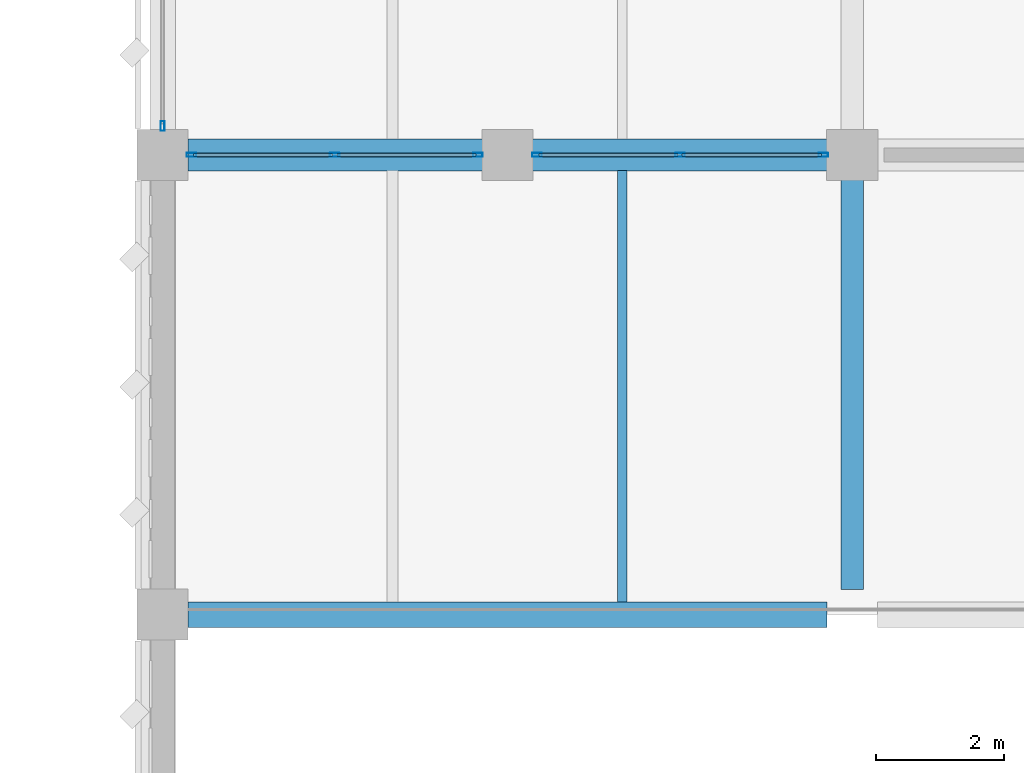
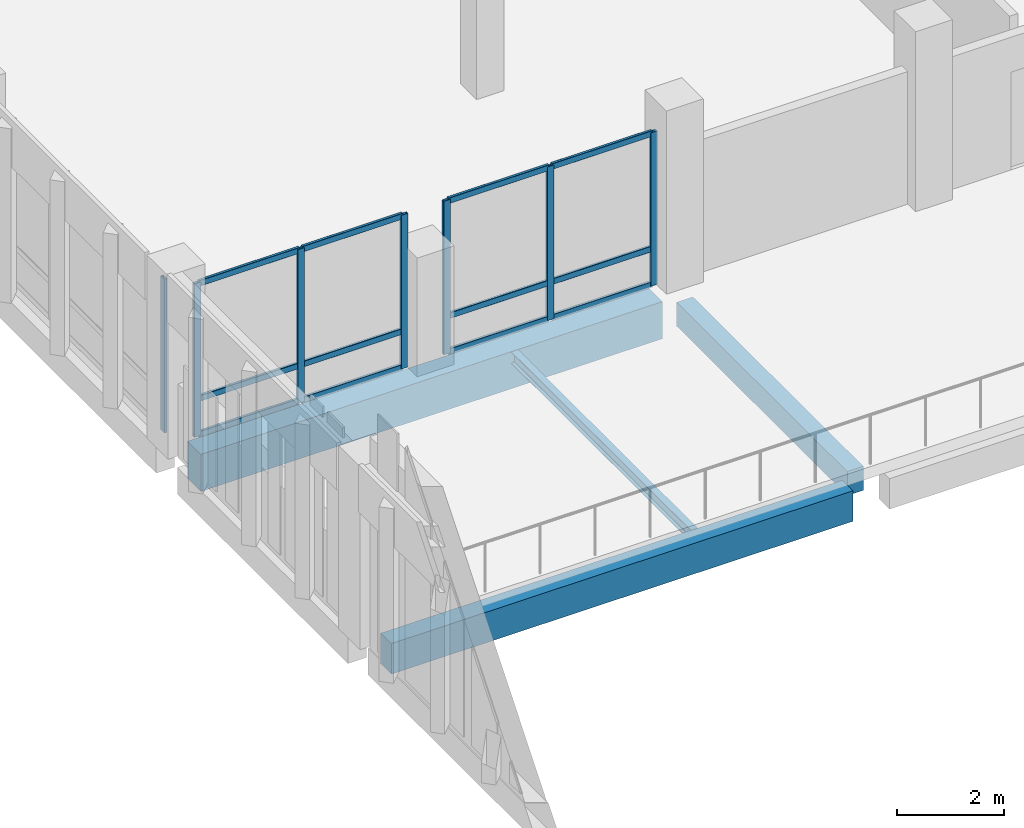
# One storey, part 7 of 158: 19 members, 4 beams, 3 elements without a shape of their own.
"""IFC4 building model written with IfcOpenShell, lengths in metres."""

from ifc_helpers import new_model, si_unit, direction, frame, origin, origin_2d, place, context, subcontext, project, spatial, rectangle, hollow_rectangle, i_section, extrude, material, material_profile, profile_set, type_object, element, aggregate, save


model = new_model("IFC4")

# Units and contexts
model_context = context("Model", 3, precision=1e-05, world=origin(), true_north=direction((0.0, 1.0)))
body_context = subcontext(model_context, "Body", "Model", "MODEL_VIEW")
ifc_project = project(units=[si_unit("LENGTHUNIT", "METRE"), si_unit("AREAUNIT", "SQUARE_METRE"), si_unit("VOLUMEUNIT", "CUBIC_METRE"), si_unit("PLANEANGLEUNIT", "RADIAN"), si_unit("MASSUNIT", "GRAM", prefix="KILO")], contexts=[model_context])

# Site, building, storey
site_placement = place(None, origin())
site = spatial("IfcSite", under=ifc_project, at=site_placement, CompositionType="ELEMENT")
building_placement = place(site_placement, origin())
building = spatial("IfcBuilding", under=site, at=building_placement, Name="Lusvemor Sports Hall", CompositionType="ELEMENT")
storey_placement = place(building_placement, frame((0.0, 0.0, 10.800048828125)))
storey = spatial("IfcBuildingStorey", under=building, at=storey_placement, Name="L02", CompositionType="ELEMENT", Elevation=10.800048828125)

# Beam
ifc_material_1 = material(Name="Concrete C40/50", Category="concrete")
ifc_material_profile_1 = material_profile(ifc_material_1, rectangle(XDim=0.35009765625, YDim=0.550048828125, at=origin_2d()), Name="RC350x550")
ifc_profile_set_1 = profile_set([ifc_material_profile_1], Name="Concrete C40/50")
beam_type_1 = type_object("IfcBeamType", Name="BEAM_RC_550", PredefinedType="BEAM", material=ifc_profile_set_1)
beam_1_placement = place(storey_placement, frame((10.800048828125, 39.99609375, -0.53515625), z_axis=(0.0, 1.0, 0.0), x_axis=(-1.0, 0.0, 0.0)))
element("IfcBeam", 1, at=beam_1_placement, inside=storey, type_object=beam_type_1, Name="Beam L02 2:E-F", PredefinedType="BEAM", context=body_context, shape_type="SweptSolid", body=[
    extrude(rectangle(XDim=0.35009765625, YDim=0.550048828125, at=origin_2d()), origin(), (0.0, 0.0, 1.0), 6.407958984375),
])

# Curtain wall, member
ifc_material_2 = material(Name="Thermally broken bronze-anodized aluminium", Category="aluminium")
curtain_wall_type = type_object("IfcCurtainWallType", Name="CW_WING_B", PredefinedType="NOTDEFINED", material=ifc_material_2)
curtain_wall_1_placement = place(storey_placement, origin())
curtain_wall_1 = element("IfcCurtainWall", 2, at=curtain_wall_1_placement, inside=storey, type_object=curtain_wall_type, Name="Curtain Wall CW-L02-W-0-0", PredefinedType="NOTDEFINED")
ifc_material_3 = material(Name="Thermally broken bronze-anodized aluminium", Category="aluminium")
ifc_material_profile_2 = material_profile(ifc_material_3, hollow_rectangle(XDim=0.06494140625, YDim=0.14990234375, WallThickness=0.00390625, InnerFilletRadius=0.00390625, OuterFilletRadius=0.008056640625, at=origin_2d()), Name="CWMUL150x65x4")
ifc_profile_set_2 = profile_set([ifc_material_profile_2], Name="Thermally broken bronze-anodized aluminium")
member_type_1 = type_object("IfcMemberType", Name="CW_MUL_B", PredefinedType="MULLION", material=ifc_profile_set_2)
member_1_placement = place(storey_placement, frame((0.0, 47.25244140625, 0.0), z_axis=(0.0, 0.0, 1.0), x_axis=(-1.0, 0.0, 0.0)))
member_1 = element("IfcMember", 3, at=member_1_placement, type_object=member_type_1, Name="CW02 mullion 1", PredefinedType="MULLION", context=body_context, shape_type="SweptSolid", body=[
    extrude(hollow_rectangle(XDim=0.06494140625, YDim=0.14990234375, WallThickness=0.00390625, InnerFilletRadius=0.00390625, OuterFilletRadius=0.008056640625, at=origin_2d()), origin(), (0.0, 0.0, 1.0), 3.52001953125),
])
aggregate(curtain_wall_1, [member_1])

# Curtain wall, members
curtain_wall_2_placement = place(storey_placement, origin())
curtain_wall_2 = element("IfcCurtainWall", 4, at=curtain_wall_2_placement, inside=storey, type_object=curtain_wall_type, Name="Curtain Wall CW-L02-S-6-0-A", PredefinedType="NOTDEFINED")
member_2_placement = place(storey_placement, frame((10.347412109375, 46.800048828125, 0.0), z_axis=(0.0, 0.0, 1.0), x_axis=(0.0, -1.0, 0.0)))
member_2 = element("IfcMember", 5, at=member_2_placement, type_object=member_type_1, Name="CW02 mullion 1", PredefinedType="MULLION", context=body_context, shape_type="SweptSolid", body=[
    extrude(hollow_rectangle(XDim=0.06494140625, YDim=0.14990234375, WallThickness=0.00390625, InnerFilletRadius=0.00390625, OuterFilletRadius=0.008056640625, at=origin_2d()), origin(), (0.0, 0.0, 1.0), 3.52001953125),
])
member_3_placement = place(storey_placement, frame((8.10498046875, 46.800048828125, 0.0), z_axis=(0.0, 0.0, 1.0), x_axis=(0.0, -1.0, 0.0)))
member_3 = element("IfcMember", 6, at=member_3_placement, type_object=member_type_1, Name="CW02 mullion 2", PredefinedType="MULLION", context=body_context, shape_type="SweptSolid", body=[
    extrude(hollow_rectangle(XDim=0.06494140625, YDim=0.14990234375, WallThickness=0.00390625, InnerFilletRadius=0.00390625, OuterFilletRadius=0.008056640625, at=origin_2d()), origin(), (0.0, 0.0, 1.0), 3.52001953125),
])
member_4_placement = place(storey_placement, frame((5.862548828125, 46.800048828125, 0.0), z_axis=(0.0, 0.0, 1.0), x_axis=(0.0, -1.0, 0.0)))
member_4 = element("IfcMember", 7, at=member_4_placement, type_object=member_type_1, Name="CW02 mullion 3", PredefinedType="MULLION", context=body_context, shape_type="SweptSolid", body=[
    extrude(hollow_rectangle(XDim=0.06494140625, YDim=0.14990234375, WallThickness=0.00390625, InnerFilletRadius=0.00390625, OuterFilletRadius=0.008056640625, at=origin_2d()), origin(), (0.0, 0.0, 1.0), 3.52001953125),
])

curtain_wall_3_placement = place(storey_placement, origin())
curtain_wall_3 = element("IfcCurtainWall", 8, at=curtain_wall_3_placement, inside=storey, type_object=curtain_wall_type, Name="Curtain Wall CW-L02-S-6-0-B", PredefinedType="NOTDEFINED")
member_5_placement = place(storey_placement, frame((4.9375, 46.800048828125, 0.0), z_axis=(0.0, 0.0, 1.0), x_axis=(0.0, -1.0, 0.0)))
member_5 = element("IfcMember", 9, at=member_5_placement, type_object=member_type_1, Name="CW02 mullion 1", PredefinedType="MULLION", context=body_context, shape_type="SweptSolid", body=[
    extrude(hollow_rectangle(XDim=0.06494140625, YDim=0.14990234375, WallThickness=0.00390625, InnerFilletRadius=0.00390625, OuterFilletRadius=0.008056640625, at=origin_2d()), origin(), (0.0, 0.0, 1.0), 3.52001953125),
])
member_6_placement = place(storey_placement, frame((2.695068359375, 46.800048828125, 0.0), z_axis=(0.0, 0.0, 1.0), x_axis=(0.0, -1.0, 0.0)))
member_6 = element("IfcMember", 10, at=member_6_placement, type_object=member_type_1, Name="CW02 mullion 2", PredefinedType="MULLION", context=body_context, shape_type="SweptSolid", body=[
    extrude(hollow_rectangle(XDim=0.06494140625, YDim=0.14990234375, WallThickness=0.00390625, InnerFilletRadius=0.00390625, OuterFilletRadius=0.008056640625, at=origin_2d()), origin(), (0.0, 0.0, 1.0), 3.52001953125),
])
member_7_placement = place(storey_placement, frame((0.452392578125, 46.800048828125, 0.0), z_axis=(0.0, 0.0, 1.0), x_axis=(0.0, -1.0, 0.0)))
member_7 = element("IfcMember", 11, at=member_7_placement, type_object=member_type_1, Name="CW02 mullion 3", PredefinedType="MULLION", context=body_context, shape_type="SweptSolid", body=[
    extrude(hollow_rectangle(XDim=0.06494140625, YDim=0.14990234375, WallThickness=0.00390625, InnerFilletRadius=0.00390625, OuterFilletRadius=0.008056640625, at=origin_2d()), origin(), (0.0, 0.0, 1.0), 3.52001953125),
])

# Member
ifc_material_4 = material(Name="Thermally broken bronze-anodized aluminium", Category="aluminium")
ifc_material_profile_3 = material_profile(ifc_material_4, hollow_rectangle(XDim=0.06005859375, YDim=0.135009765625, WallThickness=0.00390625, InnerFilletRadius=0.00390625, OuterFilletRadius=0.008056640625, at=origin_2d()), Name="CWTRN135x60x4")
ifc_profile_set_3 = profile_set([ifc_material_profile_3], Name="Thermally broken bronze-anodized aluminium")
member_type_2 = type_object("IfcMemberType", Name="CW_TRN_B", PredefinedType="USERDEFINED", material=ifc_profile_set_3)
member_8_placement = place(storey_placement, frame((10.31494140625, 46.800048828125, 0.030029296875), z_axis=(-1.0, 0.0, 0.0), x_axis=(0.0, -1.0, 0.0)))
member_8 = element("IfcMember", 12, at=member_8_placement, type_object=member_type_2, Name="CW02 transom 1.1", ObjectType="TRANSOM", PredefinedType="USERDEFINED", context=body_context, shape_type="SweptSolid", body=[
    extrude(hollow_rectangle(XDim=0.06005859375, YDim=0.135009765625, WallThickness=0.00390625, InnerFilletRadius=0.00390625, OuterFilletRadius=0.008056640625, at=origin_2d()), origin(), (0.0, 0.0, 1.0), 2.177490234375),
])

member_9_placement = place(storey_placement, frame((10.31494140625, 46.800048828125, 0.849853515625), z_axis=(-1.0, 0.0, 0.0), x_axis=(0.0, -1.0, 0.0)))
member_9 = element("IfcMember", 13, at=member_9_placement, type_object=member_type_2, Name="CW02 transom 1.2", ObjectType="TRANSOM", PredefinedType="USERDEFINED", context=body_context, shape_type="SweptSolid", body=[
    extrude(hollow_rectangle(XDim=0.06005859375, YDim=0.135009765625, WallThickness=0.00390625, InnerFilletRadius=0.00390625, OuterFilletRadius=0.008056640625, at=origin_2d()), origin(), (0.0, 0.0, 1.0), 2.177490234375),
])

member_10_placement = place(storey_placement, frame((10.31494140625, 46.800048828125, 3.489990234375), z_axis=(-1.0, 0.0, 0.0), x_axis=(0.0, -1.0, 0.0)))
member_10 = element("IfcMember", 14, at=member_10_placement, type_object=member_type_2, Name="CW02 transom 1.3", ObjectType="TRANSOM", PredefinedType="USERDEFINED", context=body_context, shape_type="SweptSolid", body=[
    extrude(hollow_rectangle(XDim=0.06005859375, YDim=0.135009765625, WallThickness=0.00390625, InnerFilletRadius=0.00390625, OuterFilletRadius=0.008056640625, at=origin_2d()), origin(), (0.0, 0.0, 1.0), 2.177490234375),
])

member_11_placement = place(storey_placement, frame((8.072509765625, 46.800048828125, 0.030029296875), z_axis=(-1.0, 0.0, 0.0), x_axis=(0.0, -1.0, 0.0)))
member_11 = element("IfcMember", 15, at=member_11_placement, type_object=member_type_2, Name="CW02 transom 2.1", ObjectType="TRANSOM", PredefinedType="USERDEFINED", context=body_context, shape_type="SweptSolid", body=[
    extrude(hollow_rectangle(XDim=0.06005859375, YDim=0.135009765625, WallThickness=0.00390625, InnerFilletRadius=0.00390625, OuterFilletRadius=0.008056640625, at=origin_2d()), origin(), (0.0, 0.0, 1.0), 2.177490234375),
])

member_12_placement = place(storey_placement, frame((8.072509765625, 46.800048828125, 0.849853515625), z_axis=(-1.0, 0.0, 0.0), x_axis=(0.0, -1.0, 0.0)))
member_12 = element("IfcMember", 16, at=member_12_placement, type_object=member_type_2, Name="CW02 transom 2.2", ObjectType="TRANSOM", PredefinedType="USERDEFINED", context=body_context, shape_type="SweptSolid", body=[
    extrude(hollow_rectangle(XDim=0.06005859375, YDim=0.135009765625, WallThickness=0.00390625, InnerFilletRadius=0.00390625, OuterFilletRadius=0.008056640625, at=origin_2d()), origin(), (0.0, 0.0, 1.0), 2.177490234375),
])

member_13_placement = place(storey_placement, frame((8.072509765625, 46.800048828125, 3.489990234375), z_axis=(-1.0, 0.0, 0.0), x_axis=(0.0, -1.0, 0.0)))
member_13 = element("IfcMember", 17, at=member_13_placement, type_object=member_type_2, Name="CW02 transom 2.3", ObjectType="TRANSOM", PredefinedType="USERDEFINED", context=body_context, shape_type="SweptSolid", body=[
    extrude(hollow_rectangle(XDim=0.06005859375, YDim=0.135009765625, WallThickness=0.00390625, InnerFilletRadius=0.00390625, OuterFilletRadius=0.008056640625, at=origin_2d()), origin(), (0.0, 0.0, 1.0), 2.177490234375),
])

aggregate(curtain_wall_2, [member_2, member_3, member_4, member_8, member_9, member_10, member_11, member_12, member_13])

member_14_placement = place(storey_placement, frame((4.905029296875, 46.800048828125, 0.030029296875), z_axis=(-1.0, 0.0, 0.0), x_axis=(0.0, -1.0, 0.0)))
member_14 = element("IfcMember", 18, at=member_14_placement, type_object=member_type_2, Name="CW02 transom 1.1", ObjectType="TRANSOM", PredefinedType="USERDEFINED", context=body_context, shape_type="SweptSolid", body=[
    extrude(hollow_rectangle(XDim=0.06005859375, YDim=0.135009765625, WallThickness=0.00390625, InnerFilletRadius=0.00390625, OuterFilletRadius=0.008056640625, at=origin_2d()), origin(), (0.0, 0.0, 1.0), 2.177490234375),
])

member_15_placement = place(storey_placement, frame((4.905029296875, 46.800048828125, 0.849853515625), z_axis=(-1.0, 0.0, 0.0), x_axis=(0.0, -1.0, 0.0)))
member_15 = element("IfcMember", 19, at=member_15_placement, type_object=member_type_2, Name="CW02 transom 1.2", ObjectType="TRANSOM", PredefinedType="USERDEFINED", context=body_context, shape_type="SweptSolid", body=[
    extrude(hollow_rectangle(XDim=0.06005859375, YDim=0.135009765625, WallThickness=0.00390625, InnerFilletRadius=0.00390625, OuterFilletRadius=0.008056640625, at=origin_2d()), origin(), (0.0, 0.0, 1.0), 2.177490234375),
])

member_16_placement = place(storey_placement, frame((4.905029296875, 46.800048828125, 3.489990234375), z_axis=(-1.0, 0.0, 0.0), x_axis=(0.0, -1.0, 0.0)))
member_16 = element("IfcMember", 20, at=member_16_placement, type_object=member_type_2, Name="CW02 transom 1.3", ObjectType="TRANSOM", PredefinedType="USERDEFINED", context=body_context, shape_type="SweptSolid", body=[
    extrude(hollow_rectangle(XDim=0.06005859375, YDim=0.135009765625, WallThickness=0.00390625, InnerFilletRadius=0.00390625, OuterFilletRadius=0.008056640625, at=origin_2d()), origin(), (0.0, 0.0, 1.0), 2.177490234375),
])

member_17_placement = place(storey_placement, frame((2.66259765625, 46.800048828125, 0.030029296875), z_axis=(-1.0, 0.0, 0.0), x_axis=(0.0, -1.0, 0.0)))
member_17 = element("IfcMember", 21, at=member_17_placement, type_object=member_type_2, Name="CW02 transom 2.1", ObjectType="TRANSOM", PredefinedType="USERDEFINED", context=body_context, shape_type="SweptSolid", body=[
    extrude(hollow_rectangle(XDim=0.06005859375, YDim=0.135009765625, WallThickness=0.00390625, InnerFilletRadius=0.00390625, OuterFilletRadius=0.008056640625, at=origin_2d()), origin(), (0.0, 0.0, 1.0), 2.177490234375),
])

member_18_placement = place(storey_placement, frame((2.66259765625, 46.800048828125, 0.849853515625), z_axis=(-1.0, 0.0, 0.0), x_axis=(0.0, -1.0, 0.0)))
member_18 = element("IfcMember", 22, at=member_18_placement, type_object=member_type_2, Name="CW02 transom 2.2", ObjectType="TRANSOM", PredefinedType="USERDEFINED", context=body_context, shape_type="SweptSolid", body=[
    extrude(hollow_rectangle(XDim=0.06005859375, YDim=0.135009765625, WallThickness=0.00390625, InnerFilletRadius=0.00390625, OuterFilletRadius=0.008056640625, at=origin_2d()), origin(), (0.0, 0.0, 1.0), 2.177490234375),
])

member_19_placement = place(storey_placement, frame((2.66259765625, 46.800048828125, 3.489990234375), z_axis=(-1.0, 0.0, 0.0), x_axis=(0.0, -1.0, 0.0)))
member_19 = element("IfcMember", 23, at=member_19_placement, type_object=member_type_2, Name="CW02 transom 2.3", ObjectType="TRANSOM", PredefinedType="USERDEFINED", context=body_context, shape_type="SweptSolid", body=[
    extrude(hollow_rectangle(XDim=0.06005859375, YDim=0.135009765625, WallThickness=0.00390625, InnerFilletRadius=0.00390625, OuterFilletRadius=0.008056640625, at=origin_2d()), origin(), (0.0, 0.0, 1.0), 2.177490234375),
])

aggregate(curtain_wall_3, [member_5, member_6, member_7, member_14, member_15, member_16, member_17, member_18, member_19])

# Beams
ifc_material_5 = material(Name="Concrete C40/50", Category="concrete")
ifc_material_profile_4 = material_profile(ifc_material_5, rectangle(XDim=0.5, YDim=0.85009765625, at=origin_2d()), Name="RC500x850")
ifc_profile_set_4 = profile_set([ifc_material_profile_4], Name="Concrete C40/50")
beam_type_2 = type_object("IfcBeamType", Name="GIRD_RC_850", PredefinedType="T_BEAM", material=ifc_profile_set_4)
beam_2_placement = place(storey_placement, frame((0.39599609375, 46.800048828125, -0.68505859375), z_axis=(1.0, 0.0, 0.0), x_axis=(0.0, 1.0, 0.0)))
element("IfcBeam", 24, at=beam_2_placement, inside=storey, type_object=beam_type_2, Name="Beam L02 F:1-2", PredefinedType="T_BEAM", context=body_context, shape_type="SweptSolid", body=[
    extrude(rectangle(XDim=0.5, YDim=0.85009765625, at=origin_2d()), origin(), (0.0, 0.0, 1.0), 10.008056640625),
])
ifc_material_6 = material(Name="Steel S355", Category="steel")
ifc_material_profile_5 = material_profile(ifc_material_6, i_section(OverallWidth=0.14794921875, OverallDepth=0.26611328125, WebThickness=0.007568359375, FlangeThickness=0.012939453125, FilletRadius=0.012939453125, at=origin_2d()), Name="W250x44.8")
ifc_profile_set_5 = profile_set([ifc_material_profile_5], Name="Steel S355")
beam_type_3 = type_object("IfcBeamType", Name="JOIST_ST_250M", PredefinedType="JOIST", material=ifc_profile_set_5)
beam_3_placement = place(storey_placement, frame((7.199951171875, 39.7958984375, -0.39697265625), z_axis=(0.0, 1.0, 0.0), x_axis=(-1.0, 0.0, 0.0)))
element("IfcBeam", 25, at=beam_3_placement, inside=storey, type_object=beam_type_3, Name="Secondary Joist L02 1-2/E-F #2", PredefinedType="JOIST", context=body_context, shape_type="SweptSolid", body=[
    extrude(i_section(OverallWidth=0.14794921875, OverallDepth=0.26611328125, WebThickness=0.007568359375, FlangeThickness=0.012939453125, FilletRadius=0.012939453125, at=origin_2d()), origin(), (0.0, 0.0, 1.0), 6.758056640625),
])
ifc_material_7 = material(Name="Concrete C40/50", Category="concrete")
ifc_material_profile_6 = material_profile(ifc_material_7, rectangle(XDim=0.39990234375, YDim=0.699951171875, at=origin_2d()), Name="RC400x700")
ifc_profile_set_6 = profile_set([ifc_material_profile_6], Name="Concrete C40/50")
beam_type_4 = type_object("IfcBeamType", Name="SPAND_EXT_700", PredefinedType="SPANDREL", material=ifc_profile_set_6)
beam_4_placement = place(storey_placement, frame((0.39599609375, 39.60009765625, -0.610107421875), z_axis=(1.0, 0.0, 0.0), x_axis=(0.0, 1.0, 0.0)))
element("IfcBeam", 26, at=beam_4_placement, inside=storey, type_object=beam_type_4, Name="Beam L02 E:1-2", PredefinedType="SPANDREL", context=body_context, shape_type="SweptSolid", body=[
    extrude(rectangle(XDim=0.39990234375, YDim=0.699951171875, at=origin_2d()), origin(), (0.0, 0.0, 1.0), 10.008056640625),
])

save(model, "model.ifc")
